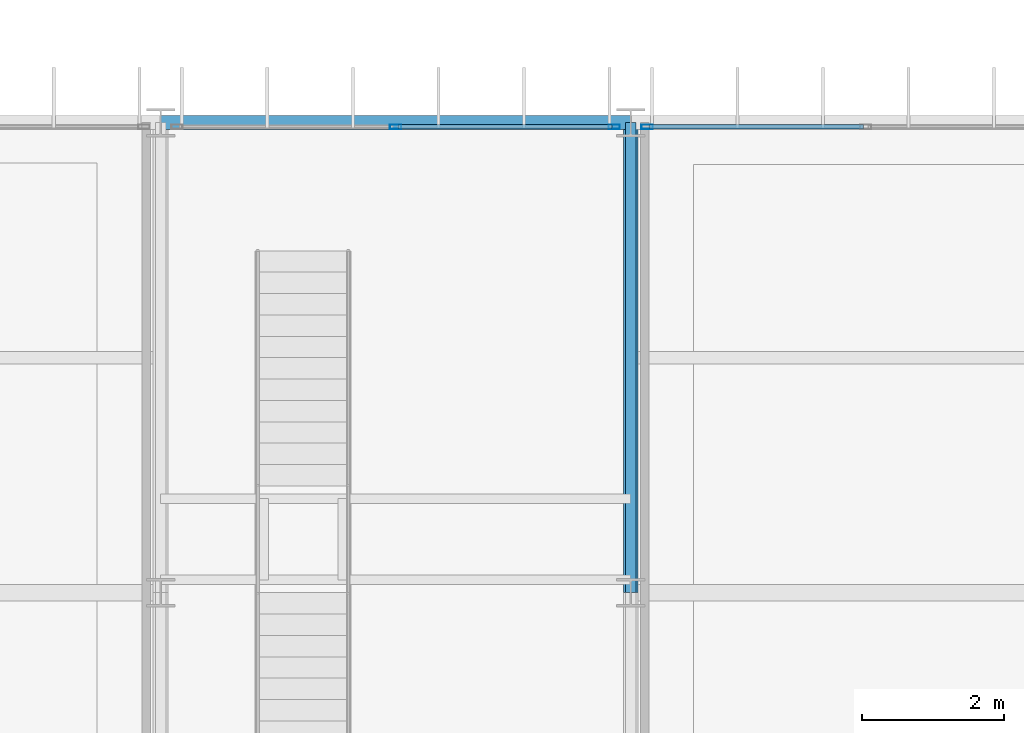
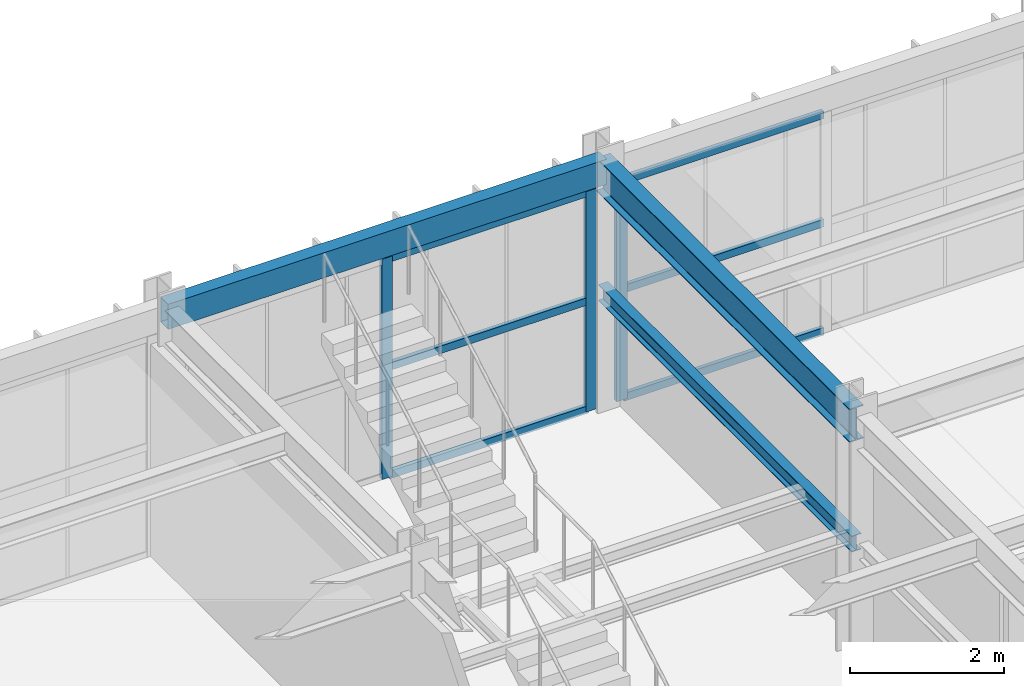
# One storey, part 93 of 148: 9 members, 3 beams, 2 elements without a shape of their own.
"""IFC4 building model written with IfcOpenShell, lengths in metres."""

from ifc_helpers import new_model, si_unit, direction, frame, origin, origin_2d, place, context, subcontext, project, spatial, hollow_rectangle, i_section, extrude, material, material_profile, profile_set, type_object, element, aggregate, save


model = new_model("IFC4")

# Units and contexts
model_context = context("Model", 3, precision=1e-05, world=origin(), true_north=direction((0.0, 1.0)))
body_context = subcontext(model_context, "Body", "Model", "MODEL_VIEW")
ifc_project = project(units=[si_unit("LENGTHUNIT", "METRE"), si_unit("AREAUNIT", "SQUARE_METRE"), si_unit("VOLUMEUNIT", "CUBIC_METRE"), si_unit("PLANEANGLEUNIT", "RADIAN"), si_unit("MASSUNIT", "GRAM", prefix="KILO")], contexts=[model_context])

# Site, building, storey
site_placement = place(None, origin())
site = spatial("IfcSite", under=ifc_project, at=site_placement, CompositionType="ELEMENT")
building_placement = place(site_placement, origin())
building = spatial("IfcBuilding", under=site, at=building_placement, Name="Karori Crest Natural Sciences Institute", CompositionType="ELEMENT")
storey_placement = place(building_placement, frame((0.0, 0.0, 4.89990234375)))
storey = spatial("IfcBuildingStorey", under=building, at=storey_placement, Name="L01", CompositionType="ELEMENT", Elevation=4.89990234375)

# Beams
ifc_material_1 = material(Name="Structural steel AS/NZS 3679.1 Grade 350", Category="steel")
ifc_material_profile_1 = material_profile(ifc_material_1, i_section(OverallWidth=0.208984375, OverallDepth=0.532958984375, WebThickness=0.01025390625, FlangeThickness=0.015625, FilletRadius=0.013916015625, at=origin_2d()), Name="530UB92.4")
ifc_profile_set_1 = profile_set([ifc_material_profile_1], Name="Structural steel AS/NZS 3679.1 Grade 350")
beam_type_1 = type_object("IfcBeamType", Name="BT-05", PredefinedType="BEAM", material=ifc_profile_set_1)
beam_1_placement = place(storey_placement, frame((149.800048828125, 14.0, 3.653564453125), z_axis=(0.0, 1.0, 0.0), x_axis=(-1.0, 0.0, 0.0)))
element("IfcBeam", 1, at=beam_1_placement, inside=storey, type_object=beam_type_1, Name="Beam B-2165", PredefinedType="BEAM", context=body_context, shape_type="SweptSolid", body=[
    extrude(i_section(OverallWidth=0.208984375, OverallDepth=0.532958984375, WebThickness=0.01025390625, FlangeThickness=0.015625, FilletRadius=0.013916015625, at=origin_2d()), origin(), (0.0, 0.0, 1.0), 6.60009765625),
])
ifc_material_profile_2 = material_profile(ifc_material_1, i_section(OverallWidth=0.14599609375, OverallDepth=0.256103515625, WebThickness=0.00634765625, FlangeThickness=0.010986328125, FilletRadius=0.009033203125, at=origin_2d()), Name="250UB37.3")
ifc_profile_set_2 = profile_set([ifc_material_profile_2], Name="Structural steel AS/NZS 3679.1 Grade 350")
beam_type_2 = type_object("IfcBeamType", Name="BT-11-IL", PredefinedType="BEAM", material=ifc_profile_set_2)
beam_2_placement = place(storey_placement, frame((149.800048828125, 14.0, 1.76220703125), z_axis=(0.0, 1.0, 0.0), x_axis=(-1.0, 0.0, 0.0)))
element("IfcBeam", 2, at=beam_2_placement, inside=storey, type_object=beam_type_2, Name="Stair stringer girder ST-14", PredefinedType="BEAM", context=body_context, shape_type="SweptSolid", body=[
    extrude(i_section(OverallWidth=0.14599609375, OverallDepth=0.256103515625, WebThickness=0.00634765625, FlangeThickness=0.010986328125, FilletRadius=0.009033203125, at=origin_2d()), origin(), (0.0, 0.0, 1.0), 6.60009765625),
])
ifc_material_2 = material(Name="Hollow structural steel AS/NZS 1163 Grade C350", Category="steel")
ifc_material_profile_3 = material_profile(ifc_material_2, hollow_rectangle(XDim=0.199951171875, YDim=0.39990234375, WallThickness=0.012451171875, at=origin_2d()), Name="RHS400x200x12.5")
ifc_profile_set_3 = profile_set([ifc_material_profile_3], Name="Hollow structural steel AS/NZS 1163 Grade C350")
beam_type_3 = type_object("IfcBeamType", Name="BT-14", PredefinedType="SPANDREL", material=ifc_profile_set_3)
beam_3_placement = place(storey_placement, frame((143.199951171875, 20.60009765625, 3.72021484375), z_axis=(1.0, 0.0, 0.0), x_axis=(0.0, 1.0, 0.0)))
element("IfcBeam", 3, at=beam_3_placement, inside=storey, type_object=beam_type_3, Name="Beam B-2139", PredefinedType="SPANDREL", context=body_context, shape_type="SweptSolid", body=[
    extrude(hollow_rectangle(XDim=0.199951171875, YDim=0.39990234375, WallThickness=0.012451171875, at=origin_2d()), origin(), (0.0, 0.0, 1.0), 6.60009765625),
])

# Curtain wall, members
ifc_material_3 = material(Name="Anodised architectural aluminium 6063-T6", Category="aluminium")
curtain_wall_type = type_object("IfcCurtainWallType", Name="CWT-20", PredefinedType="NOTDEFINED", material=ifc_material_3)
curtain_wall_1_placement = place(storey_placement, origin())
curtain_wall_1 = element("IfcCurtainWall", 4, at=curtain_wall_1_placement, inside=storey, type_object=curtain_wall_type, Name="Curtain wall CW-0310", PredefinedType="NOTDEFINED")
ifc_material_profile_4 = material_profile(ifc_material_3, hollow_rectangle(XDim=0.06494140625, YDim=0.159912109375, WallThickness=0.00390625, at=origin_2d()), Name="CWM160x65x4")
ifc_profile_set_4 = profile_set([ifc_material_profile_4], Name="Anodised architectural aluminium 6063-T6")
member_type_1 = type_object("IfcMemberType", Name="CWM-01", PredefinedType="MULLION", material=ifc_profile_set_4)
member_1_placement = place(storey_placement, frame((146.5, 20.5400390625, 0.0), z_axis=(0.0, 0.0, 1.0), x_axis=(0.0, 1.0, 0.0)))
member_1 = element("IfcMember", 5, at=member_1_placement, type_object=member_type_1, Name="CW-0310 mullion 2", PredefinedType="MULLION", context=body_context, shape_type="SweptSolid", body=[
    extrude(hollow_rectangle(XDim=0.06494140625, YDim=0.159912109375, WallThickness=0.00390625, at=origin_2d()), origin(), (0.0, 0.0, 1.0), 3.505126953125),
])
member_2_placement = place(storey_placement, frame((149.569580078125, 20.5400390625, 0.0), z_axis=(0.0, 0.0, 1.0), x_axis=(0.0, 1.0, 0.0)))
member_2 = element("IfcMember", 6, at=member_2_placement, type_object=member_type_1, Name="CW-0310 mullion 3", PredefinedType="MULLION", context=body_context, shape_type="SweptSolid", body=[
    extrude(hollow_rectangle(XDim=0.06494140625, YDim=0.159912109375, WallThickness=0.00390625, at=origin_2d()), origin(), (0.0, 0.0, 1.0), 3.505126953125),
])

# Curtain wall, member
curtain_wall_2_placement = place(storey_placement, origin())
curtain_wall_2 = element("IfcCurtainWall", 7, at=curtain_wall_2_placement, inside=storey, type_object=curtain_wall_type, Name="Curtain wall CW-0311", PredefinedType="NOTDEFINED")
member_3_placement = place(storey_placement, frame((150.030517578125, 20.5400390625, 0.0), z_axis=(0.0, 0.0, 1.0), x_axis=(0.0, 1.0, 0.0)))
member_3 = element("IfcMember", 8, at=member_3_placement, type_object=member_type_1, Name="CW-0311 mullion 1", PredefinedType="MULLION", context=body_context, shape_type="SweptSolid", body=[
    extrude(hollow_rectangle(XDim=0.06494140625, YDim=0.159912109375, WallThickness=0.00390625, at=origin_2d()), origin(), (0.0, 0.0, 1.0), 3.505126953125),
])

# Member
ifc_material_profile_5 = material_profile(ifc_material_3, hollow_rectangle(XDim=0.06005859375, YDim=0.1201171875, WallThickness=0.00390625, at=origin_2d()), Name="CWT120x60x4")
ifc_profile_set_5 = profile_set([ifc_material_profile_5], Name="Anodised architectural aluminium 6063-T6")
member_type_2 = type_object("IfcMemberType", Name="CWT-TR1", PredefinedType="USERDEFINED", material=ifc_profile_set_5)
member_4_placement = place(storey_placement, frame((146.532470703125, 20.5400390625, 0.030029296875), z_axis=(1.0, 0.0, 0.0), x_axis=(0.0, 1.0, 0.0)))
member_4 = element("IfcMember", 9, at=member_4_placement, type_object=member_type_2, Name="CW-0310 transom 2.1", ObjectType="TRANSOM", PredefinedType="USERDEFINED", context=body_context, shape_type="SweptSolid", body=[
    extrude(hollow_rectangle(XDim=0.06005859375, YDim=0.1201171875, WallThickness=0.00390625, at=origin_2d()), origin(), (0.0, 0.0, 1.0), 3.004638671875),
])

member_5_placement = place(storey_placement, frame((146.532470703125, 20.5400390625, 1.752685546875), z_axis=(1.0, 0.0, 0.0), x_axis=(0.0, 1.0, 0.0)))
member_5 = element("IfcMember", 10, at=member_5_placement, type_object=member_type_2, Name="CW-0310 transom 2.2", ObjectType="TRANSOM", PredefinedType="USERDEFINED", context=body_context, shape_type="SweptSolid", body=[
    extrude(hollow_rectangle(XDim=0.06005859375, YDim=0.1201171875, WallThickness=0.00390625, at=origin_2d()), origin(), (0.0, 0.0, 1.0), 3.004638671875),
])

member_6_placement = place(storey_placement, frame((146.532470703125, 20.5400390625, 3.47509765625), z_axis=(1.0, 0.0, 0.0), x_axis=(0.0, 1.0, 0.0)))
member_6 = element("IfcMember", 11, at=member_6_placement, type_object=member_type_2, Name="CW-0310 transom 2.3", ObjectType="TRANSOM", PredefinedType="USERDEFINED", context=body_context, shape_type="SweptSolid", body=[
    extrude(hollow_rectangle(XDim=0.06005859375, YDim=0.1201171875, WallThickness=0.00390625, at=origin_2d()), origin(), (0.0, 0.0, 1.0), 3.004638671875),
])

aggregate(curtain_wall_1, [member_1, member_2, member_4, member_5, member_6])

member_7_placement = place(storey_placement, frame((150.06298828125, 20.5400390625, 0.030029296875), z_axis=(1.0, 0.0, 0.0), x_axis=(0.0, 1.0, 0.0)))
member_7 = element("IfcMember", 12, at=member_7_placement, type_object=member_type_2, Name="CW-0311 transom 1.1", ObjectType="TRANSOM", PredefinedType="USERDEFINED", context=body_context, shape_type="SweptSolid", body=[
    extrude(hollow_rectangle(XDim=0.06005859375, YDim=0.1201171875, WallThickness=0.00390625, at=origin_2d()), origin(), (0.0, 0.0, 1.0), 3.00439453125),
])

member_8_placement = place(storey_placement, frame((150.06298828125, 20.5400390625, 1.752685546875), z_axis=(1.0, 0.0, 0.0), x_axis=(0.0, 1.0, 0.0)))
member_8 = element("IfcMember", 13, at=member_8_placement, type_object=member_type_2, Name="CW-0311 transom 1.2", ObjectType="TRANSOM", PredefinedType="USERDEFINED", context=body_context, shape_type="SweptSolid", body=[
    extrude(hollow_rectangle(XDim=0.06005859375, YDim=0.1201171875, WallThickness=0.00390625, at=origin_2d()), origin(), (0.0, 0.0, 1.0), 3.00439453125),
])

member_9_placement = place(storey_placement, frame((150.06298828125, 20.5400390625, 3.47509765625), z_axis=(1.0, 0.0, 0.0), x_axis=(0.0, 1.0, 0.0)))
member_9 = element("IfcMember", 14, at=member_9_placement, type_object=member_type_2, Name="CW-0311 transom 1.3", ObjectType="TRANSOM", PredefinedType="USERDEFINED", context=body_context, shape_type="SweptSolid", body=[
    extrude(hollow_rectangle(XDim=0.06005859375, YDim=0.1201171875, WallThickness=0.00390625, at=origin_2d()), origin(), (0.0, 0.0, 1.0), 3.00439453125),
])

aggregate(curtain_wall_2, [member_3, member_7, member_8, member_9])

save(model, "model.ifc")
